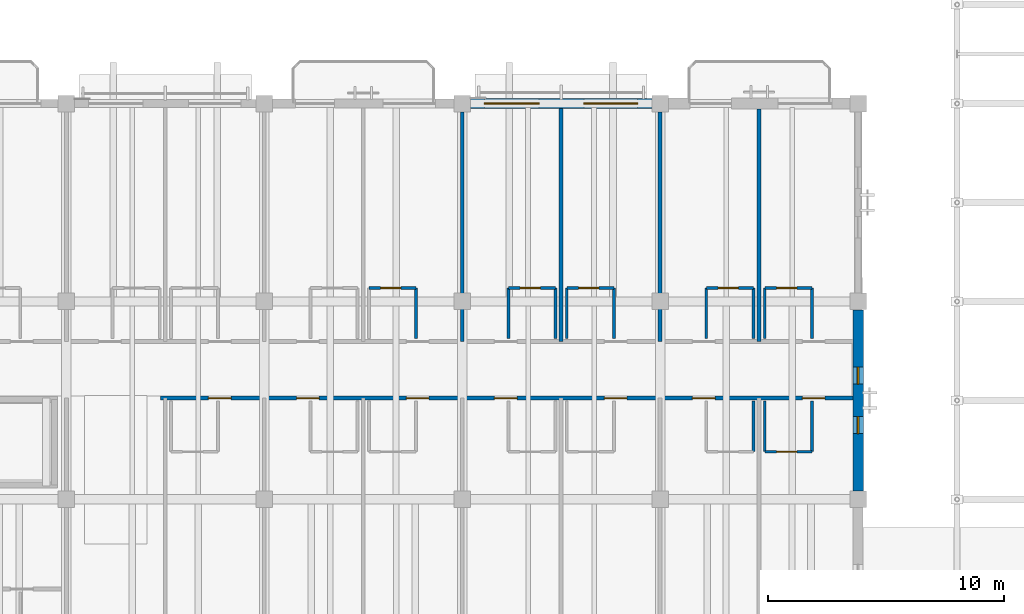
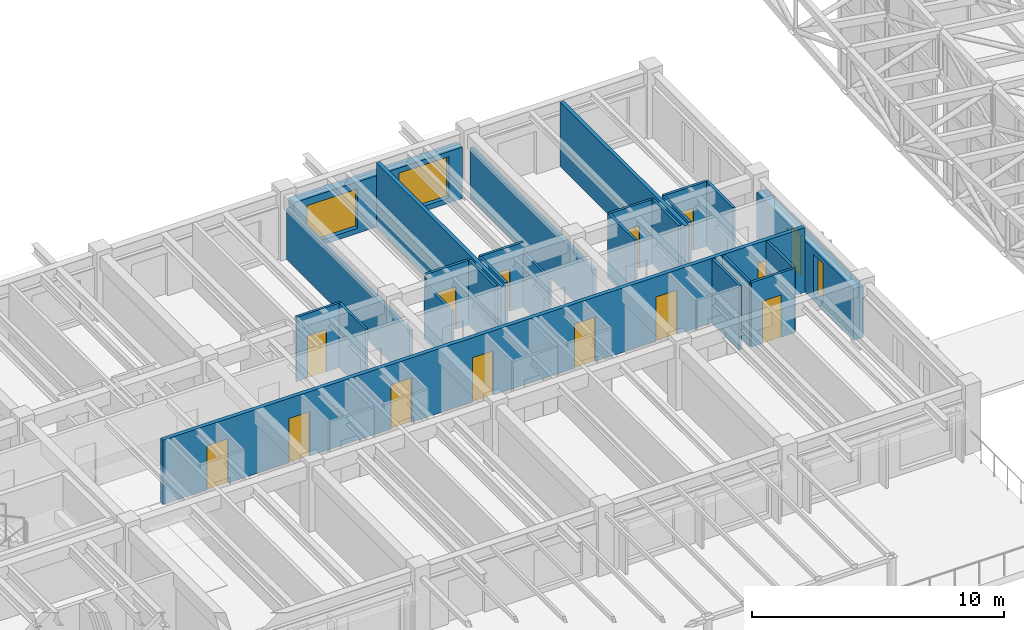
# One storey, part 93 of 111: 25 walls, 13 doors, 4 windows, 17 openings.
"""IFC4 building model written with IfcOpenShell, lengths in metres."""

import ifcopenshell
import ifcopenshell.guid

model = None  # the IFC model being written
_history = None  # IfcOwnerHistory: only IFC2X3 demands one
_inside = {}  # id of a spatial element -> (the spatial element, [elements in it])
_under = {}  # id of a project, library or spatial element -> (it, [spatial elements below it])
_declared = {}  # id of a project -> (the project, [libraries it declares])
_typed = {}  # id of a type object -> (the type object, [elements of that type])
_made_of = {}  # id of a material, layer set ... -> (it, [elements and type objects made of it])


def new_model(schema):
    """Start an empty IFC model of exactly this schema.

    Asked for "IFC4X3", IfcOpenShell would pick the latest addendum, in which some entities
    have other attributes; the version numbers below select the first issue.
    IFC2X3 requires an IfcOwnerHistory on every rooted entity: one is made here for all.
    """
    global model, _history
    if schema == "IFC4X3":
        model = ifcopenshell.file(schema_version=(4, 3, 0, 0))
    else:
        model = ifcopenshell.file(schema=schema)
    _inside.clear()
    _under.clear()
    _declared.clear()
    _typed.clear()
    _made_of.clear()
    _history = None
    if model.schema == "IFC2X3":
        org = make("IfcOrganization", Name="unknown")
        user = make(
            "IfcPersonAndOrganization",
            ThePerson=make("IfcPerson", FamilyName="unknown"),
            TheOrganization=org,
        )
        app = make(
            "IfcApplication",
            ApplicationDeveloper=org,
            Version="unknown",
            ApplicationFullName="unknown",
            ApplicationIdentifier="unknown",
        )
        _history = make(
            "IfcOwnerHistory",
            OwningUser=user,
            OwningApplication=app,
            ChangeAction="ADDED",
            CreationDate=0,
        )
    return model


def make(cls, **values):
    """One entity of the class cls with the attributes given. An attribute that is None is left unset."""
    return model.create_entity(
        cls, **{name: value for name, value in values.items() if value is not None}
    )


def rooted(cls, **values):
    """An entity with a GlobalId (a new one), such as an element, a storey or a relation."""
    return make(cls, GlobalId=ifcopenshell.guid.new(), OwnerHistory=_history, **values)


def si_unit(unit_type, name, prefix=None):
    """IfcSIUnit, for example si_unit("LENGTHUNIT", "METRE", prefix="MILLI")."""
    return make("IfcSIUnit", UnitType=unit_type, Prefix=prefix, Name=name)


def assignment(units):
    """IfcUnitAssignment: the units of a project."""
    return None if units is None else make("IfcUnitAssignment", Units=units)


def point(xyz):
    """IfcCartesianPoint."""
    return None if xyz is None else make("IfcCartesianPoint", Coordinates=xyz)


def direction(xyz):
    """IfcDirection."""
    return None if xyz is None else make("IfcDirection", DirectionRatios=xyz)


def frame(location, z_axis=None, x_axis=None):
    """IfcAxis2Placement3D, a coordinate frame: its origin and axes. An axis left out is left unset."""
    return make(
        "IfcAxis2Placement3D",
        Location=point(location),
        Axis=direction(z_axis),
        RefDirection=direction(x_axis),
    )


def frame_2d(location, x_axis=None):
    """IfcAxis2Placement2D, a coordinate frame in the plane: its origin and x axis."""
    return make(
        "IfcAxis2Placement2D", Location=point(location), RefDirection=direction(x_axis)
    )


def origin():
    """The frame at (0, 0, 0) with its axes left unset."""
    return frame((0.0, 0.0, 0.0))


def place(relative_to, where):
    """IfcLocalPlacement: puts the frame where relative to a parent placement (None: the world)."""
    return make(
        "IfcLocalPlacement", PlacementRelTo=relative_to, RelativePlacement=where
    )


def context(
    kind, dimensions, precision=None, world=None, true_north=None, identifier=None
):
    """IfcGeometricRepresentationContext, for example the 3D "Model" context."""
    return make(
        "IfcGeometricRepresentationContext",
        ContextIdentifier=identifier,
        ContextType=kind,
        CoordinateSpaceDimension=dimensions,
        Precision=precision,
        WorldCoordinateSystem=world,
        TrueNorth=true_north,
    )


def subcontext(parent, identifier, kind, view, scale=None):
    """IfcGeometricRepresentationSubContext, for example "Body" below "Model"."""
    return make(
        "IfcGeometricRepresentationSubContext",
        ContextIdentifier=identifier,
        ContextType=kind,
        ParentContext=parent,
        TargetScale=scale,
        TargetView=view,
    )


def project(units=None, contexts=None):
    """IfcProject with its units and contexts."""
    return rooted(
        "IfcProject",
        Name="project",
        RepresentationContexts=contexts,
        UnitsInContext=assignment(units),
    )


def spatial(cls, under=None, at=None, **own):
    """A site, building, storey or space (cls), placed at a placement, below another one or the project."""
    s = rooted(cls, ObjectPlacement=at, **own)
    if under is not None:
        _under.setdefault(under.id(), (under, []))[1].append(s)
    return s


def profile(cls, at=None, kind="AREA", **sizes):
    """A parametric profile (cls). Its sizes go by their IFC names, for example OverallWidth=200.0."""
    return make(cls, ProfileType=kind, Position=at, **sizes)


def rectangle(**sizes):
    """IfcRectangleProfileDef."""
    return profile("IfcRectangleProfileDef", **sizes)


def extrude(swept, where, along, depth):
    """IfcExtrudedAreaSolid: the profile swept, set in the frame where, extruded along a direction by depth."""
    return make(
        "IfcExtrudedAreaSolid",
        SweptArea=swept,
        Position=where,
        ExtrudedDirection=direction(along),
        Depth=depth,
    )


def shape(context_of_items, identifier, shape_type, items):
    """IfcShapeRepresentation: the items that make up one representation, for example the "Body"."""
    return make(
        "IfcShapeRepresentation",
        ContextOfItems=context_of_items,
        RepresentationIdentifier=identifier,
        RepresentationType=shape_type,
        Items=items,
    )


def material(Name=None, Category=None):
    """IfcMaterial."""
    return make("IfcMaterial", Name=Name, Category=Category)


def layer(
    of_material, thickness, ventilated=None, Name=None, Category=None, Priority=None
):
    """IfcMaterialLayer: one layer of a wall or slab, of a material (None: an air gap)."""
    return make(
        "IfcMaterialLayer",
        Material=of_material,
        LayerThickness=thickness,
        IsVentilated=ventilated,
        Name=Name,
        Category=Category,
        Priority=Priority,
    )


def layer_set(layers, Name=None):
    """IfcMaterialLayerSet."""
    return make("IfcMaterialLayerSet", MaterialLayers=layers, LayerSetName=Name)


def made_of(thing, what):
    """Note that an element or type object is made of a material, layer set ...; save() writes the relation."""
    if what is not None:
        _made_of.setdefault(what.id(), (what, []))[1].append(thing)
    return thing


def type_object(cls, material=None, **own):
    """A type object (cls), such as IfcWallType, which elements share."""
    return made_of(rooted(cls, **own), material)


def element(
    cls,
    number,
    at=None,
    inside=None,
    cuts=None,
    type_object=None,
    material=None,
    context=None,
    identifier="Body",
    shape_type=None,
    held_by="IfcProductDefinitionShape",
    body=None,
    shapes=None,
    **own,
):
    """One element of the class cls, such as IfcWall. Its Tag is "e" and its number.

    at: its placement. inside: the storey or other place that contains it. cuts: it is an
    opening in that element (IfcRelVoidsElement). A single representation is given by context,
    identifier, shape_type and body (its items); several are given by shapes. held_by: the class
    of the entity that holds the representations. save() writes the other relations.
    """
    e = rooted(cls, Tag="e%d" % number, ObjectPlacement=at, **own)
    if body is not None:
        shapes = [shape(context, identifier, shape_type, body)]
    if shapes is not None:
        e.Representation = make(held_by, Representations=shapes)
    if inside is not None:
        _inside.setdefault(inside.id(), (inside, []))[1].append(e)
    if cuts is not None:
        rooted(
            "IfcRelVoidsElement", RelatingBuildingElement=cuts, RelatedOpeningElement=e
        )
    if type_object is not None:
        _typed.setdefault(type_object.id(), (type_object, []))[1].append(e)
    return made_of(e, material)


def fill(opening, filler):
    """IfcRelFillsElement: the door or window that sits in an opening."""
    return rooted(
        "IfcRelFillsElement",
        RelatingOpeningElement=opening,
        RelatedBuildingElement=filler,
    )


def aggregate(whole, parts):
    """IfcRelAggregates: a whole, such as a stair, and the parts it consists of."""
    return rooted("IfcRelAggregates", RelatingObject=whole, RelatedObjects=parts)


def save(model, path):
    """Write the relations noted so far, then the file.

    IfcRelAggregates (storeys below a building ...), IfcRelContainedInSpatialStructure (elements
    in a storey), IfcRelDefinesByType, IfcRelAssociatesMaterial and IfcRelDeclares: one each for
    every whole, place, type object, material and project.
    """
    for whole, parts in _under.values():
        aggregate(whole, parts)
    for where, things in _inside.values():
        rooted(
            "IfcRelContainedInSpatialStructure",
            RelatedElements=things,
            RelatingStructure=where,
        )
    for kind, things in _typed.values():
        rooted("IfcRelDefinesByType", RelatedObjects=things, RelatingType=kind)
    for what, things in _made_of.values():
        rooted("IfcRelAssociatesMaterial", RelatedObjects=things, RelatingMaterial=what)
    for by, libraries in _declared.values():
        rooted("IfcRelDeclares", RelatingContext=by, RelatedDefinitions=libraries)
    model.write(path)


model = new_model("IFC4")

# Units and contexts
model_context = context("Model", 3, precision=1e-05, world=origin(), true_north=direction((0.0, 1.0)))
body_context = subcontext(model_context, "Body", "Model", "MODEL_VIEW")
ifc_project = project(units=[si_unit("LENGTHUNIT", "METRE"), si_unit("AREAUNIT", "SQUARE_METRE"), si_unit("VOLUMEUNIT", "CUBIC_METRE"), si_unit("PLANEANGLEUNIT", "RADIAN"), si_unit("MASSUNIT", "GRAM", prefix="KILO")], contexts=[model_context])

# Site, building, storey
site_placement = place(None, origin())
site = spatial("IfcSite", under=ifc_project, at=site_placement, CompositionType="ELEMENT")
building_placement = place(site_placement, origin())
building = spatial("IfcBuilding", under=site, at=building_placement, Name="Cumbredor Promenade Congress Hotel", CompositionType="ELEMENT")
storey_placement = place(building_placement, frame((0.0, 0.0, 15.1201171875)))
storey = spatial("IfcBuildingStorey", under=building, at=storey_placement, Name="L04", CompositionType="ELEMENT", Elevation=15.1201171875)

# Wall, opening, door
ifc_material_1 = material(Name="Moisture-resistant gypsum board on steel studs", Category="steel")
ifc_layer_1 = layer(ifc_material_1, 0.114990234375, Name="Moisture-resistant gypsum board on steel studs", Category="steel")
ifc_layer_set_1 = layer_set([ifc_layer_1], Name="Moisture-resistant gypsum board on steel studs")
wall_type_1 = type_object("IfcWallType", Name="WL-BATH-115", PredefinedType="PARTITIONING", material=ifc_layer_set_1)
wall_1_placement = place(storey_placement, frame((63.239990234375, 109.77001953125, 0.0), z_axis=(0.0, 0.0, 1.0), x_axis=(1.0, 0.0, 0.0)))
wall_1 = element("IfcWall", 1, at=wall_1_placement, inside=storey, type_object=wall_type_1, Name="L04 Interior Partition W-L04-BH-0413", PredefinedType="PARTITIONING", context=body_context, shape_type="SweptSolid", body=[
    extrude(rectangle(XDim=2.0, YDim=0.114990234375, at=frame_2d((1.0, 0.0))), origin(), (0.0, 0.0, 1.0), 3.119873046875),
])
opening_1_placement = place(wall_1_placement, frame((0.5, 0.0, 0.0)))
opening_1 = element("IfcOpeningElement", 2, at=opening_1_placement, cuts=wall_1, Name="Opening ID-01", PredefinedType="OPENING", context=body_context, shape_type="SweptSolid", body=[
    extrude(rectangle(XDim=0.860107421875, YDim=2.050048828125, at=frame_2d((0.43017578125, 1.02490234375))), frame((0.0, 0.0673828125, 0.0), z_axis=(0.0, -1.0, 0.0), x_axis=(1.0, 0.0, 0.0)), (0.0, 0.0, 1.0), 0.135009765625),
])
ifc_material_2 = material(Name="Kiln-dried tropical hardwood", Category="wood")
door_type_1 = type_object("IfcDoorType", Name="DR-BATH-860", OperationType="NOTDEFINED", PredefinedType="DOOR", material=ifc_material_2)
door_1_placement = place(opening_1_placement, origin())
door_1 = element("IfcDoor", 3, at=door_1_placement, inside=storey, type_object=door_type_1, Name="L04 Interior Door W-L04-BH-0413-01", OperationType="SINGLE_SWING_RIGHT", OverallHeight=2.050048828125, OverallWidth=0.860107421875, PredefinedType="DOOR", context=body_context, shape_type="SweptSolid", body=[
    extrude(rectangle(XDim=0.860107421875, YDim=2.050048828125, at=frame_2d((0.43017578125, 1.02490234375))), frame((0.0, 0.02490234375, 0.0), z_axis=(0.0, -1.0, 0.0), x_axis=(1.0, 0.0, 0.0)), (0.0, 0.0, 1.0), 0.050048828125),
])
fill(opening_1, door_1)

# Wall
wall_2_placement = place(storey_placement, frame((65.239990234375, 107.6201171875, 0.0), z_axis=(0.0, 0.0, 1.0), x_axis=(0.0, 1.0, 0.0)))
element("IfcWall", 4, at=wall_2_placement, inside=storey, type_object=wall_type_1, Name="L04 Interior Partition W-L04-BV2-0413", PredefinedType="PARTITIONING", context=body_context, shape_type="SweptSolid", body=[
    extrude(rectangle(XDim=2.14990234375, YDim=0.114990234375, at=frame_2d((1.074951171875, 0.0))), origin(), (0.0, 0.0, 1.0), 3.119873046875),
])

# Wall, opening, door
wall_3_placement = place(storey_placement, frame((69.159912109375, 109.77001953125, 0.0), z_axis=(0.0, 0.0, 1.0), x_axis=(1.0, 0.0, 0.0)))
wall_3 = element("IfcWall", 5, at=wall_3_placement, inside=storey, type_object=wall_type_1, Name="L04 Interior Partition W-L04-BH-0414", PredefinedType="PARTITIONING", context=body_context, shape_type="SweptSolid", body=[
    extrude(rectangle(XDim=2.0, YDim=0.114990234375, at=frame_2d((1.0, 0.0))), origin(), (0.0, 0.0, 1.0), 3.119873046875),
])
opening_2_placement = place(wall_3_placement, frame((0.5, 0.0, 0.0)))
opening_2 = element("IfcOpeningElement", 6, at=opening_2_placement, cuts=wall_3, Name="Opening ID-01", PredefinedType="OPENING", context=body_context, shape_type="SweptSolid", body=[
    extrude(rectangle(XDim=0.860107421875, YDim=2.050048828125, at=frame_2d((0.43017578125, 1.02490234375))), frame((0.0, 0.0673828125, 0.0), z_axis=(0.0, -1.0, 0.0), x_axis=(1.0, 0.0, 0.0)), (0.0, 0.0, 1.0), 0.135009765625),
])
door_2_placement = place(opening_2_placement, origin())
door_2 = element("IfcDoor", 7, at=door_2_placement, inside=storey, type_object=door_type_1, Name="L04 Interior Door W-L04-BH-0414-01", OperationType="SINGLE_SWING_LEFT", OverallHeight=2.050048828125, OverallWidth=0.860107421875, PredefinedType="DOOR", context=body_context, shape_type="SweptSolid", body=[
    extrude(rectangle(XDim=0.860107421875, YDim=2.050048828125, at=frame_2d((0.43017578125, 1.02490234375))), frame((0.0, 0.02490234375, 0.0), z_axis=(0.0, -1.0, 0.0), x_axis=(1.0, 0.0, 0.0)), (0.0, 0.0, 1.0), 0.050048828125),
])
fill(opening_2, door_2)

# Walls
wall_4_placement = place(storey_placement, frame((69.159912109375, 107.6201171875, 0.0), z_axis=(0.0, 0.0, 1.0), x_axis=(0.0, 1.0, 0.0)))
element("IfcWall", 8, at=wall_4_placement, inside=storey, type_object=wall_type_1, Name="L04 Interior Partition W-L04-BV1-0414", PredefinedType="PARTITIONING", context=body_context, shape_type="SweptSolid", body=[
    extrude(rectangle(XDim=2.14990234375, YDim=0.114990234375, at=frame_2d((1.074951171875, 0.0))), origin(), (0.0, 0.0, 1.0), 2.641845703125),
])
wall_5_placement = place(storey_placement, frame((71.159912109375, 107.6201171875, 0.0), z_axis=(0.0, 0.0, 1.0), x_axis=(0.0, 1.0, 0.0)))
element("IfcWall", 9, at=wall_5_placement, inside=storey, type_object=wall_type_1, Name="L04 Interior Partition W-L04-BV2-0414", PredefinedType="PARTITIONING", context=body_context, shape_type="SweptSolid", body=[
    extrude(rectangle(XDim=2.14990234375, YDim=0.114990234375, at=frame_2d((1.074951171875, 0.0))), origin(), (0.0, 0.0, 1.0), 3.119873046875),
])

# Wall, opening, door
wall_6_placement = place(storey_placement, frame((71.639892578125, 109.77001953125, 0.0), z_axis=(0.0, 0.0, 1.0), x_axis=(1.0, 0.0, 0.0)))
wall_6 = element("IfcWall", 10, at=wall_6_placement, inside=storey, type_object=wall_type_1, Name="L04 Interior Partition W-L04-BH-0415", PredefinedType="PARTITIONING", context=body_context, shape_type="SweptSolid", body=[
    extrude(rectangle(XDim=2.0, YDim=0.114990234375, at=frame_2d((1.0, 0.0))), origin(), (0.0, 0.0, 1.0), 3.119873046875),
])
opening_3_placement = place(wall_6_placement, frame((0.5, 0.0, 0.0)))
opening_3 = element("IfcOpeningElement", 11, at=opening_3_placement, cuts=wall_6, Name="Opening ID-01", PredefinedType="OPENING", context=body_context, shape_type="SweptSolid", body=[
    extrude(rectangle(XDim=0.860107421875, YDim=2.050048828125, at=frame_2d((0.43017578125, 1.02490234375))), frame((0.0, 0.0673828125, 0.0), z_axis=(0.0, -1.0, 0.0), x_axis=(1.0, 0.0, 0.0)), (0.0, 0.0, 1.0), 0.135009765625),
])
door_3_placement = place(opening_3_placement, origin())
door_3 = element("IfcDoor", 12, at=door_3_placement, inside=storey, type_object=door_type_1, Name="L04 Interior Door W-L04-BH-0415-01", OperationType="SINGLE_SWING_RIGHT", OverallHeight=2.050048828125, OverallWidth=0.860107421875, PredefinedType="DOOR", context=body_context, shape_type="SweptSolid", body=[
    extrude(rectangle(XDim=0.860107421875, YDim=2.050048828125, at=frame_2d((0.43017578125, 1.02490234375))), frame((0.0, 0.02490234375, 0.0), z_axis=(0.0, -1.0, 0.0), x_axis=(1.0, 0.0, 0.0)), (0.0, 0.0, 1.0), 0.050048828125),
])
fill(opening_3, door_3)

# Walls
wall_7_placement = place(storey_placement, frame((71.639892578125, 107.6201171875, 0.0), z_axis=(0.0, 0.0, 1.0), x_axis=(0.0, 1.0, 0.0)))
element("IfcWall", 13, at=wall_7_placement, inside=storey, type_object=wall_type_1, Name="L04 Interior Partition W-L04-BV1-0415", PredefinedType="PARTITIONING", context=body_context, shape_type="SweptSolid", body=[
    extrude(rectangle(XDim=2.14990234375, YDim=0.114990234375, at=frame_2d((1.074951171875, 0.0))), origin(), (0.0, 0.0, 1.0), 3.119873046875),
])
wall_8_placement = place(storey_placement, frame((73.639892578125, 107.6201171875, 0.0), z_axis=(0.0, 0.0, 1.0), x_axis=(0.0, 1.0, 0.0)))
element("IfcWall", 14, at=wall_8_placement, inside=storey, type_object=wall_type_1, Name="L04 Interior Partition W-L04-BV2-0415", PredefinedType="PARTITIONING", context=body_context, shape_type="SweptSolid", body=[
    extrude(rectangle(XDim=2.14990234375, YDim=0.114990234375, at=frame_2d((1.074951171875, 0.0))), origin(), (0.0, 0.0, 1.0), 2.641845703125),
])

# Wall, opening, door
wall_9_placement = place(storey_placement, frame((77.56005859375, 109.77001953125, 0.0), z_axis=(0.0, 0.0, 1.0), x_axis=(1.0, 0.0, 0.0)))
wall_9 = element("IfcWall", 15, at=wall_9_placement, inside=storey, type_object=wall_type_1, Name="L04 Interior Partition W-L04-BH-0416", PredefinedType="PARTITIONING", context=body_context, shape_type="SweptSolid", body=[
    extrude(rectangle(XDim=2.0, YDim=0.114990234375, at=frame_2d((1.0, 0.0))), origin(), (0.0, 0.0, 1.0), 3.119873046875),
])
opening_4_placement = place(wall_9_placement, frame((0.5, 0.0, 0.0)))
opening_4 = element("IfcOpeningElement", 16, at=opening_4_placement, cuts=wall_9, Name="Opening ID-01", PredefinedType="OPENING", context=body_context, shape_type="SweptSolid", body=[
    extrude(rectangle(XDim=0.860107421875, YDim=2.050048828125, at=frame_2d((0.43017578125, 1.02490234375))), frame((0.0, 0.0673828125, 0.0), z_axis=(0.0, -1.0, 0.0), x_axis=(1.0, 0.0, 0.0)), (0.0, 0.0, 1.0), 0.135009765625),
])
door_4_placement = place(opening_4_placement, origin())
door_4 = element("IfcDoor", 17, at=door_4_placement, inside=storey, type_object=door_type_1, Name="L04 Interior Door W-L04-BH-0416-01", OperationType="SINGLE_SWING_LEFT", OverallHeight=2.050048828125, OverallWidth=0.860107421875, PredefinedType="DOOR", context=body_context, shape_type="SweptSolid", body=[
    extrude(rectangle(XDim=0.860107421875, YDim=2.050048828125, at=frame_2d((0.43017578125, 1.02490234375))), frame((0.0, 0.02490234375, 0.0), z_axis=(0.0, -1.0, 0.0), x_axis=(1.0, 0.0, 0.0)), (0.0, 0.0, 1.0), 0.050048828125),
])
fill(opening_4, door_4)

# Walls
for number, where, z_axis, x_axis, name in (
    (18, (77.56005859375, 107.6201171875, 0.0), (0.0, 0.0, 1.0), (0.0, 1.0, 0.0), "L04 Interior Partition W-L04-BV1-0416"),
    (19, (79.56005859375, 107.6201171875, 0.0), (0.0, 0.0, 1.0), (0.0, 1.0, 0.0), "L04 Interior Partition W-L04-BV2-0416"),
):
    element("IfcWall", number, at=place(storey_placement, frame(where, z_axis=z_axis, x_axis=x_axis)), inside=storey, type_object=wall_type_1, Name=name, PredefinedType="PARTITIONING", context=body_context, shape_type="SweptSolid", body=[
        extrude(rectangle(XDim=2.14990234375, YDim=0.114990234375, at=frame_2d((1.074951171875, 0.0))), origin(), (0.0, 0.0, 1.0), 3.119873046875),
    ])

# Wall, opening, door
wall_10_placement = place(storey_placement, frame((80.0400390625, 109.77001953125, 0.0), z_axis=(0.0, 0.0, 1.0), x_axis=(1.0, 0.0, 0.0)))
wall_10 = element("IfcWall", 20, at=wall_10_placement, inside=storey, type_object=wall_type_1, Name="L04 Interior Partition W-L04-BH-0417", PredefinedType="PARTITIONING", context=body_context, shape_type="SweptSolid", body=[
    extrude(rectangle(XDim=2.0, YDim=0.114990234375, at=frame_2d((1.0, 0.0))), origin(), (0.0, 0.0, 1.0), 3.119873046875),
])
opening_5_placement = place(wall_10_placement, frame((0.5, 0.0, 0.0)))
opening_5 = element("IfcOpeningElement", 21, at=opening_5_placement, cuts=wall_10, Name="Opening ID-01", PredefinedType="OPENING", context=body_context, shape_type="SweptSolid", body=[
    extrude(rectangle(XDim=0.860107421875, YDim=2.050048828125, at=frame_2d((0.43017578125, 1.02490234375))), frame((0.0, 0.0673828125, 0.0), z_axis=(0.0, -1.0, 0.0), x_axis=(1.0, 0.0, 0.0)), (0.0, 0.0, 1.0), 0.135009765625),
])
door_5_placement = place(opening_5_placement, origin())
door_5 = element("IfcDoor", 22, at=door_5_placement, inside=storey, type_object=door_type_1, Name="L04 Interior Door W-L04-BH-0417-01", OperationType="SINGLE_SWING_RIGHT", OverallHeight=2.050048828125, OverallWidth=0.860107421875, PredefinedType="DOOR", context=body_context, shape_type="SweptSolid", body=[
    extrude(rectangle(XDim=0.860107421875, YDim=2.050048828125, at=frame_2d((0.43017578125, 1.02490234375))), frame((0.0, 0.02490234375, 0.0), z_axis=(0.0, -1.0, 0.0), x_axis=(1.0, 0.0, 0.0)), (0.0, 0.0, 1.0), 0.050048828125),
])
fill(opening_5, door_5)

# Walls
for number, where, z_axis, x_axis, name in (
    (23, (80.0400390625, 107.6201171875, 0.0), (0.0, 0.0, 1.0), (0.0, 1.0, 0.0), "L04 Interior Partition W-L04-BV1-0417"),
    (24, (82.0400390625, 107.6201171875, 0.0), (0.0, 0.0, 1.0), (0.0, 1.0, 0.0), "L04 Interior Partition W-L04-BV2-0417"),
    (25, (79.56005859375, 102.830078125, 0.0), (0.0, 0.0, 1.0), (0.0, 1.0, 0.0), "L04 Interior Partition W-L04-BV2-0423"),
):
    element("IfcWall", number, at=place(storey_placement, frame(where, z_axis=z_axis, x_axis=x_axis)), inside=storey, type_object=wall_type_1, Name=name, PredefinedType="PARTITIONING", context=body_context, shape_type="SweptSolid", body=[
        extrude(rectangle(XDim=2.14990234375, YDim=0.114990234375, at=frame_2d((1.074951171875, 0.0))), origin(), (0.0, 0.0, 1.0), 3.119873046875),
    ])

# Wall, opening, door
wall_11_placement = place(storey_placement, frame((80.0400390625, 102.830078125, 0.0), z_axis=(0.0, 0.0, 1.0), x_axis=(1.0, 0.0, 0.0)))
wall_11 = element("IfcWall", 26, at=wall_11_placement, inside=storey, type_object=wall_type_1, Name="L04 Interior Partition W-L04-BH-0424", PredefinedType="PARTITIONING", context=body_context, shape_type="SweptSolid", body=[
    extrude(rectangle(XDim=2.0, YDim=0.114990234375, at=frame_2d((1.0, 0.0))), origin(), (0.0, 0.0, 1.0), 3.119873046875),
])
opening_6_placement = place(wall_11_placement, frame((0.5, 0.0, 0.0)))
opening_6 = element("IfcOpeningElement", 27, at=opening_6_placement, cuts=wall_11, Name="Opening ID-01", PredefinedType="OPENING", context=body_context, shape_type="SweptSolid", body=[
    extrude(rectangle(XDim=0.860107421875, YDim=2.050048828125, at=frame_2d((0.43017578125, 1.02490234375))), frame((0.0, 0.0673828125, 0.0), z_axis=(0.0, -1.0, 0.0), x_axis=(1.0, 0.0, 0.0)), (0.0, 0.0, 1.0), 0.135009765625),
])
door_6_placement = place(opening_6_placement, origin())
door_6 = element("IfcDoor", 28, at=door_6_placement, inside=storey, type_object=door_type_1, Name="L04 Interior Door W-L04-BH-0424-01", OperationType="SINGLE_SWING_LEFT", OverallHeight=2.050048828125, OverallWidth=0.860107421875, PredefinedType="DOOR", context=body_context, shape_type="SweptSolid", body=[
    extrude(rectangle(XDim=0.860107421875, YDim=2.050048828125, at=frame_2d((0.43017578125, 1.02490234375))), frame((0.0, 0.02490234375, 0.0), z_axis=(0.0, -1.0, 0.0), x_axis=(1.0, 0.0, 0.0)), (0.0, 0.0, 1.0), 0.050048828125),
])
fill(opening_6, door_6)

# Walls
for number, where, z_axis, x_axis, name in (
    (29, (80.0400390625, 102.830078125, 0.0), (0.0, 0.0, 1.0), (0.0, 1.0, 0.0), "L04 Interior Partition W-L04-BV1-0424"),
    (30, (82.0400390625, 102.830078125, 0.0), (0.0, 0.0, 1.0), (0.0, 1.0, 0.0), "L04 Interior Partition W-L04-BV2-0424"),
):
    element("IfcWall", number, at=place(storey_placement, frame(where, z_axis=z_axis, x_axis=x_axis)), inside=storey, type_object=wall_type_1, Name=name, PredefinedType="PARTITIONING", context=body_context, shape_type="SweptSolid", body=[
        extrude(rectangle(XDim=2.14990234375, YDim=0.114990234375, at=frame_2d((1.074951171875, 0.0))), origin(), (0.0, 0.0, 1.0), 3.119873046875),
    ])

# Wall, openings, doors
ifc_material_3 = material(Name="Fire-rated hotel corridor wall")
ifc_layer_2 = layer(ifc_material_3, 0.179931640625, Name="Fire-rated hotel corridor wall")
ifc_layer_set_2 = layer_set([ifc_layer_2], Name="Fire-rated hotel corridor wall")
wall_type_2 = type_object("IfcWallType", Name="WL-CORR-180", PredefinedType="PARTITIONING", material=ifc_layer_set_2)
wall_12_placement = place(storey_placement, frame((54.39990234375, 105.10009765625, 0.0), z_axis=(0.0, 0.0, 1.0), x_axis=(1.0, 0.0, 0.0)))
wall_12 = element("IfcWall", 31, at=wall_12_placement, inside=storey, type_object=wall_type_2, Name="L04 Interior Partition W-L04-CORR-SE", PredefinedType="PARTITIONING", context=body_context, shape_type="SweptSolid", body=[
    extrude(rectangle(XDim=29.375, YDim=0.179931640625, at=frame_2d((14.6875, 0.0))), origin(), (0.0, 0.0, 1.0), 3.119873046875),
])
opening_7_placement = place(wall_12_placement, frame((2.030029296875, 0.0, 0.0)))
opening_7 = element("IfcOpeningElement", 32, at=opening_7_placement, cuts=wall_12, Name="Opening FD-01", PredefinedType="OPENING", context=body_context, shape_type="SweptSolid", body=[
    extrude(rectangle(XDim=0.9599609375, YDim=2.14990234375, at=frame_2d((0.47998046875, 1.074951171875))), frame((0.0, 0.10009765625, 0.0), z_axis=(0.0, -1.0, 0.0), x_axis=(1.0, 0.0, 0.0)), (0.0, 0.0, 1.0), 0.199951171875),
])
opening_8_placement = place(wall_12_placement, frame((5.77001953125, 0.0, 0.0)))
opening_8 = element("IfcOpeningElement", 33, at=opening_8_placement, cuts=wall_12, Name="Opening FD-01", PredefinedType="OPENING", context=body_context, shape_type="SweptSolid", body=[
    extrude(rectangle(XDim=0.9599609375, YDim=2.14990234375, at=frame_2d((0.47998046875, 1.074951171875))), frame((0.0, 0.10009765625, 0.0), z_axis=(0.0, -1.0, 0.0), x_axis=(1.0, 0.0, 0.0)), (0.0, 0.0, 1.0), 0.199951171875),
])
opening_9_placement = place(wall_12_placement, frame((10.429931640625, 0.0, 0.0)))
opening_9 = element("IfcOpeningElement", 34, at=opening_9_placement, cuts=wall_12, Name="Opening FD-01", PredefinedType="OPENING", context=body_context, shape_type="SweptSolid", body=[
    extrude(rectangle(XDim=0.9599609375, YDim=2.14990234375, at=frame_2d((0.47998046875, 1.074951171875))), frame((0.0, 0.10009765625, 0.0), z_axis=(0.0, -1.0, 0.0), x_axis=(1.0, 0.0, 0.0)), (0.0, 0.0, 1.0), 0.199951171875),
])
opening_10_placement = place(wall_12_placement, frame((14.169921875, 0.0, 0.0)))
opening_10 = element("IfcOpeningElement", 35, at=opening_10_placement, cuts=wall_12, Name="Opening FD-01", PredefinedType="OPENING", context=body_context, shape_type="SweptSolid", body=[
    extrude(rectangle(XDim=0.9599609375, YDim=2.14990234375, at=frame_2d((0.47998046875, 1.074951171875))), frame((0.0, 0.10009765625, 0.0), z_axis=(0.0, -1.0, 0.0), x_axis=(1.0, 0.0, 0.0)), (0.0, 0.0, 1.0), 0.199951171875),
])
opening_11_placement = place(wall_12_placement, frame((18.830078125, 0.0, 0.0)))
opening_11 = element("IfcOpeningElement", 36, at=opening_11_placement, cuts=wall_12, Name="Opening FD-01", PredefinedType="OPENING", context=body_context, shape_type="SweptSolid", body=[
    extrude(rectangle(XDim=0.9599609375, YDim=2.14990234375, at=frame_2d((0.47998046875, 1.074951171875))), frame((0.0, 0.10009765625, 0.0), z_axis=(0.0, -1.0, 0.0), x_axis=(1.0, 0.0, 0.0)), (0.0, 0.0, 1.0), 0.199951171875),
])
opening_12_placement = place(wall_12_placement, frame((22.570068359375, 0.0, 0.0)))
opening_12 = element("IfcOpeningElement", 37, at=opening_12_placement, cuts=wall_12, Name="Opening FD-01", PredefinedType="OPENING", context=body_context, shape_type="SweptSolid", body=[
    extrude(rectangle(XDim=0.9599609375, YDim=2.14990234375, at=frame_2d((0.47998046875, 1.074951171875))), frame((0.0, 0.10009765625, 0.0), z_axis=(0.0, -1.0, 0.0), x_axis=(1.0, 0.0, 0.0)), (0.0, 0.0, 1.0), 0.199951171875),
])
opening_13_placement = place(wall_12_placement, frame((27.22998046875, 0.0, 0.0)))
opening_13 = element("IfcOpeningElement", 38, at=opening_13_placement, cuts=wall_12, Name="Opening FD-01", PredefinedType="OPENING", context=body_context, shape_type="SweptSolid", body=[
    extrude(rectangle(XDim=0.9599609375, YDim=2.14990234375, at=frame_2d((0.47998046875, 1.074951171875))), frame((0.0, 0.10009765625, 0.0), z_axis=(0.0, -1.0, 0.0), x_axis=(1.0, 0.0, 0.0)), (0.0, 0.0, 1.0), 0.199951171875),
])
ifc_material_4 = material(Name="Solid-core fire-rated tropical hardwood", Category="wood")
door_type_2 = type_object("IfcDoorType", Name="DR-GUEST-FD30-950", OperationType="NOTDEFINED", PredefinedType="DOOR", material=ifc_material_4)
door_7_placement = place(opening_7_placement, origin())
door_7 = element("IfcDoor", 39, at=door_7_placement, inside=storey, type_object=door_type_2, Name="L04 Interior Door W-L04-CORR-SE-01", OperationType="SINGLE_SWING_RIGHT", OverallHeight=2.14990234375, OverallWidth=0.9599609375, PredefinedType="DOOR", context=body_context, shape_type="SweptSolid", body=[
    extrude(rectangle(XDim=0.9599609375, YDim=2.14990234375, at=frame_2d((0.47998046875, 1.074951171875))), frame((0.0, 0.02490234375, 0.0), z_axis=(0.0, -1.0, 0.0), x_axis=(1.0, 0.0, 0.0)), (0.0, 0.0, 1.0), 0.050048828125),
])
fill(opening_7, door_7)
door_8_placement = place(opening_8_placement, origin())
door_8 = element("IfcDoor", 40, at=door_8_placement, inside=storey, type_object=door_type_2, Name="L04 Interior Door W-L04-CORR-SE-02", OperationType="SINGLE_SWING_LEFT", OverallHeight=2.14990234375, OverallWidth=0.9599609375, PredefinedType="DOOR", context=body_context, shape_type="SweptSolid", body=[
    extrude(rectangle(XDim=0.9599609375, YDim=2.14990234375, at=frame_2d((0.47998046875, 1.074951171875))), frame((0.0, 0.02490234375, 0.0), z_axis=(0.0, -1.0, 0.0), x_axis=(1.0, 0.0, 0.0)), (0.0, 0.0, 1.0), 0.050048828125),
])
fill(opening_8, door_8)
door_9_placement = place(opening_9_placement, origin())
door_9 = element("IfcDoor", 41, at=door_9_placement, inside=storey, type_object=door_type_2, Name="L04 Interior Door W-L04-CORR-SE-03", OperationType="SINGLE_SWING_RIGHT", OverallHeight=2.14990234375, OverallWidth=0.9599609375, PredefinedType="DOOR", context=body_context, shape_type="SweptSolid", body=[
    extrude(rectangle(XDim=0.9599609375, YDim=2.14990234375, at=frame_2d((0.47998046875, 1.074951171875))), frame((0.0, 0.02490234375, 0.0), z_axis=(0.0, -1.0, 0.0), x_axis=(1.0, 0.0, 0.0)), (0.0, 0.0, 1.0), 0.050048828125),
])
fill(opening_9, door_9)
door_10_placement = place(opening_10_placement, origin())
door_10 = element("IfcDoor", 42, at=door_10_placement, inside=storey, type_object=door_type_2, Name="L04 Interior Door W-L04-CORR-SE-04", OperationType="SINGLE_SWING_LEFT", OverallHeight=2.14990234375, OverallWidth=0.9599609375, PredefinedType="DOOR", context=body_context, shape_type="SweptSolid", body=[
    extrude(rectangle(XDim=0.9599609375, YDim=2.14990234375, at=frame_2d((0.47998046875, 1.074951171875))), frame((0.0, 0.02490234375, 0.0), z_axis=(0.0, -1.0, 0.0), x_axis=(1.0, 0.0, 0.0)), (0.0, 0.0, 1.0), 0.050048828125),
])
fill(opening_10, door_10)
door_11_placement = place(opening_11_placement, origin())
door_11 = element("IfcDoor", 43, at=door_11_placement, inside=storey, type_object=door_type_2, Name="L04 Interior Door W-L04-CORR-SE-05", OperationType="SINGLE_SWING_RIGHT", OverallHeight=2.14990234375, OverallWidth=0.9599609375, PredefinedType="DOOR", context=body_context, shape_type="SweptSolid", body=[
    extrude(rectangle(XDim=0.9599609375, YDim=2.14990234375, at=frame_2d((0.47998046875, 1.074951171875))), frame((0.0, 0.02490234375, 0.0), z_axis=(0.0, -1.0, 0.0), x_axis=(1.0, 0.0, 0.0)), (0.0, 0.0, 1.0), 0.050048828125),
])
fill(opening_11, door_11)
door_12_placement = place(opening_12_placement, origin())
door_12 = element("IfcDoor", 44, at=door_12_placement, inside=storey, type_object=door_type_2, Name="L04 Interior Door W-L04-CORR-SE-06", OperationType="SINGLE_SWING_LEFT", OverallHeight=2.14990234375, OverallWidth=0.9599609375, PredefinedType="DOOR", context=body_context, shape_type="SweptSolid", body=[
    extrude(rectangle(XDim=0.9599609375, YDim=2.14990234375, at=frame_2d((0.47998046875, 1.074951171875))), frame((0.0, 0.02490234375, 0.0), z_axis=(0.0, -1.0, 0.0), x_axis=(1.0, 0.0, 0.0)), (0.0, 0.0, 1.0), 0.050048828125),
])
fill(opening_12, door_12)
door_13_placement = place(opening_13_placement, origin())
door_13 = element("IfcDoor", 45, at=door_13_placement, inside=storey, type_object=door_type_2, Name="L04 Interior Door W-L04-CORR-SE-07", OperationType="SINGLE_SWING_RIGHT", OverallHeight=2.14990234375, OverallWidth=0.9599609375, PredefinedType="DOOR", context=body_context, shape_type="SweptSolid", body=[
    extrude(rectangle(XDim=0.9599609375, YDim=2.14990234375, at=frame_2d((0.47998046875, 1.074951171875))), frame((0.0, 0.02490234375, 0.0), z_axis=(0.0, -1.0, 0.0), x_axis=(1.0, 0.0, 0.0)), (0.0, 0.0, 1.0), 0.050048828125),
])
fill(opening_13, door_13)

# Wall, openings, windows
ifc_material_5 = material(Name="Concrete C40/50", Category="concrete")
ifc_layer_3 = layer(ifc_material_5, 0.425048828125, Name="Concrete C40/50", Category="concrete")
ifc_layer_set_3 = layer_set([ifc_layer_3], Name="Concrete C40/50")
wall_type_3 = type_object("IfcWallType", Name="WL-EXT-425", PredefinedType="SOLIDWALL", material=ifc_layer_set_3)
wall_13_placement = place(storey_placement, frame((67.551025390625, 117.60009765625, 0.0), z_axis=(0.0, 0.0, 1.0), x_axis=(1.0, 0.0, 0.0)))
wall_13 = element("IfcWall", 46, at=wall_13_placement, inside=storey, type_object=wall_type_3, Name="L04 Stepped Congress Hotel Wing North Envelope Wall 9", PredefinedType="SOLIDWALL", context=body_context, shape_type="SweptSolid", body=[
    extrude(rectangle(XDim=7.697998046875, YDim=0.425048828125, at=frame_2d((3.84912109375, 0.0))), origin(), (0.0, 0.0, 1.0), 2.493896484375),
])
opening_14_placement = place(wall_13_placement, frame((0.589111328125, 0.0, 0.25)))
opening_14 = element("IfcOpeningElement", 47, at=opening_14_placement, cuts=wall_13, Name="Opening WN-36", PredefinedType="OPENING", context=body_context, shape_type="SweptSolid", body=[
    extrude(rectangle(XDim=2.320068359375, YDim=1.89990234375, at=frame_2d((1.16015625, 0.949951171875))), frame((0.0, 0.22265625, 0.0), z_axis=(0.0, -1.0, 0.0), x_axis=(1.0, 0.0, 0.0)), (0.0, 0.0, 1.0), 0.445068359375),
])
opening_15_placement = place(wall_13_placement, frame((4.80908203125, 0.0, 0.25)))
opening_15 = element("IfcOpeningElement", 48, at=opening_15_placement, cuts=wall_13, Name="Opening WN-40", PredefinedType="OPENING", context=body_context, shape_type="SweptSolid", body=[
    extrude(rectangle(XDim=2.280029296875, YDim=2.0, at=frame_2d((1.14013671875, 1.0))), frame((0.0, 0.22265625, 0.0), z_axis=(0.0, -1.0, 0.0), x_axis=(1.0, 0.0, 0.0)), (0.0, 0.0, 1.0), 0.445068359375),
])
ifc_material_6 = material(Name="Thermally broken anodized aluminium and low-E glass", Category="aluminium")
window_type_1 = type_object("IfcWindowType", Name="Hospitality Floor-to-Ceiling Window WN-36 2320x1900", PartitioningType="DOUBLE_PANEL_VERTICAL", PredefinedType="WINDOW", material=ifc_material_6)
window_1_placement = place(opening_14_placement, origin())
window_1 = element("IfcWindow", 49, at=window_1_placement, inside=storey, type_object=window_type_1, Name="L04 Wide Hospitality Window 0499", OverallHeight=1.89990234375, OverallWidth=2.320068359375, PartitioningType="DOUBLE_PANEL_VERTICAL", PredefinedType="WINDOW", context=body_context, shape_type="SweptSolid", body=[
    extrude(rectangle(XDim=2.320068359375, YDim=1.89990234375, at=frame_2d((1.16015625, 0.949951171875))), frame((0.0, 0.030029296875, 0.0), z_axis=(0.0, -1.0, 0.0), x_axis=(1.0, 0.0, 0.0)), (0.0, 0.0, 1.0), 0.06005859375),
])
fill(opening_14, window_1)
window_type_2 = type_object("IfcWindowType", Name="Hospitality Floor-to-Ceiling Window WN-40 2280x2000", PartitioningType="DOUBLE_PANEL_VERTICAL", PredefinedType="WINDOW", material=ifc_material_6)
window_2_placement = place(opening_15_placement, origin())
window_2 = element("IfcWindow", 50, at=window_2_placement, inside=storey, type_object=window_type_2, Name="L04 Wide Hospitality Window 0500", OverallHeight=2.0, OverallWidth=2.280029296875, PartitioningType="DOUBLE_PANEL_VERTICAL", PredefinedType="WINDOW", context=body_context, shape_type="SweptSolid", body=[
    extrude(rectangle(XDim=2.280029296875, YDim=2.0, at=frame_2d((1.14013671875, 1.0))), frame((0.0, 0.030029296875, 0.0), z_axis=(0.0, -1.0, 0.0), x_axis=(1.0, 0.0, 0.0)), (0.0, 0.0, 1.0), 0.06005859375),
])
fill(opening_15, window_2)

ifc_layer_4 = layer(ifc_material_5, 0.449951171875, Name="Concrete C40/50", Category="concrete")
ifc_layer_set_4 = layer_set([ifc_layer_4], Name="Concrete C40/50")
wall_type_4 = type_object("IfcWallType", Name="WL-EXT-450", PredefinedType="SOLIDWALL", material=ifc_layer_set_4)
wall_14_placement = place(storey_placement, frame((84.0, 101.15087890625, 0.0), z_axis=(0.0, 0.0, 1.0), x_axis=(0.0, 1.0, 0.0)))
wall_14 = element("IfcWall", 51, at=wall_14_placement, inside=storey, type_object=wall_type_4, Name="L04 Stepped Congress Hotel Wing East Envelope Wall 2", PredefinedType="SOLIDWALL", context=body_context, shape_type="SweptSolid", body=[
    extrude(rectangle(XDim=7.6982421875, YDim=0.449951171875, at=frame_2d((3.84912109375, 0.0))), origin(), (0.0, 0.0, 1.0), 2.493896484375),
])
opening_16_placement = place(wall_14_placement, frame((2.43896484375, 0.0, 0.300048828125)))
opening_16 = element("IfcOpeningElement", 52, at=opening_16_placement, cuts=wall_14, Name="Opening WN-49", PredefinedType="OPENING", context=body_context, shape_type="SweptSolid", body=[
    extrude(rectangle(XDim=0.719970703125, YDim=1.949951171875, at=frame_2d((0.35986328125, 0.97509765625))), frame((0.0, 0.23486328125, 0.0), z_axis=(0.0, -1.0, 0.0), x_axis=(1.0, 0.0, 0.0)), (0.0, 0.0, 1.0), 0.469970703125),
])
opening_17_placement = place(wall_14_placement, frame((4.5390625, 0.0, 0.300048828125)))
opening_17 = element("IfcOpeningElement", 53, at=opening_17_placement, cuts=wall_14, Name="Opening WN-49", PredefinedType="OPENING", context=body_context, shape_type="SweptSolid", body=[
    extrude(rectangle(XDim=0.719970703125, YDim=1.949951171875, at=frame_2d((0.35986328125, 0.97509765625))), frame((0.0, 0.23486328125, 0.0), z_axis=(0.0, -1.0, 0.0), x_axis=(1.0, 0.0, 0.0)), (0.0, 0.0, 1.0), 0.469970703125),
])
window_type_3 = type_object("IfcWindowType", Name="Vertical Slot Window WN-49 720x1950", PartitioningType="SINGLE_PANEL", PredefinedType="WINDOW", material=ifc_material_6)
window_3_placement = place(opening_16_placement, origin())
window_3 = element("IfcWindow", 54, at=window_3_placement, inside=storey, type_object=window_type_3, Name="L04 Vertical Slot Window 0510", OverallHeight=1.949951171875, OverallWidth=0.719970703125, PartitioningType="SINGLE_PANEL", PredefinedType="WINDOW", context=body_context, shape_type="SweptSolid", body=[
    extrude(rectangle(XDim=0.719970703125, YDim=1.949951171875, at=frame_2d((0.35986328125, 0.97509765625))), frame((0.0, 0.030029296875, 0.0), z_axis=(0.0, -1.0, 0.0), x_axis=(1.0, 0.0, 0.0)), (0.0, 0.0, 1.0), 0.06005859375),
])
fill(opening_16, window_3)
window_4_placement = place(opening_17_placement, origin())
window_4 = element("IfcWindow", 55, at=window_4_placement, inside=storey, type_object=window_type_3, Name="L04 Vertical Slot Window 0511", OverallHeight=1.949951171875, OverallWidth=0.719970703125, PartitioningType="SINGLE_PANEL", PredefinedType="WINDOW", context=body_context, shape_type="SweptSolid", body=[
    extrude(rectangle(XDim=0.719970703125, YDim=1.949951171875, at=frame_2d((0.35986328125, 0.97509765625))), frame((0.0, 0.030029296875, 0.0), z_axis=(0.0, -1.0, 0.0), x_axis=(1.0, 0.0, 0.0)), (0.0, 0.0, 1.0), 0.06005859375),
])
fill(opening_17, window_4)

# Walls
ifc_material_7 = material(Name="Fire-rated acoustic double-stud partition")
ifc_layer_5 = layer(ifc_material_7, 0.1650390625, Name="Fire-rated acoustic double-stud partition")
ifc_layer_set_5 = layer_set([ifc_layer_5], Name="Fire-rated acoustic double-stud partition")
wall_type_5 = type_object("IfcWallType", Name="WL-UNIT-165", PredefinedType="PARTITIONING", material=ifc_layer_set_5)
wall_15_placement = place(storey_placement, frame((71.39990234375, 107.5, 0.0), z_axis=(0.0, 0.0, 1.0), x_axis=(0.0, 1.0, 0.0)))
element("IfcWall", 56, at=wall_15_placement, inside=storey, type_object=wall_type_5, Name="L04 Interior Partition W-L04-N-DIV-8-M", PredefinedType="PARTITIONING", context=body_context, shape_type="SweptSolid", body=[
    extrude(rectangle(XDim=9.887451171875, YDim=0.1650390625, at=frame_2d((4.94384765625, 0.0))), origin(), (0.0, 0.0, 1.0), 3.119873046875),
])
wall_16_placement = place(storey_placement, frame((67.199951171875, 107.5, 0.0), z_axis=(0.0, 0.0, 1.0), x_axis=(0.0, 1.0, 0.0)))
element("IfcWall", 57, at=wall_16_placement, inside=storey, type_object=wall_type_5, Name="L04 Interior Partition W-L04-N-DIV-8-G", PredefinedType="PARTITIONING", context=body_context, shape_type="SweptSolid", body=[
    extrude(rectangle(XDim=9.75, YDim=0.1650390625, at=frame_2d((4.875, 0.0))), origin(), (0.0, 0.0, 1.0), 2.454833984375),
])
wall_17_placement = place(storey_placement, frame((79.800048828125, 107.5, 0.0), z_axis=(0.0, 0.0, 1.0), x_axis=(0.0, 1.0, 0.0)))
element("IfcWall", 58, at=wall_17_placement, inside=storey, type_object=wall_type_5, Name="L04 Interior Partition W-L04-N-DIV-9-M", PredefinedType="PARTITIONING", context=body_context, shape_type="SweptSolid", body=[
    extrude(rectangle(XDim=9.875, YDim=0.1650390625, at=frame_2d((4.9375, 0.0))), origin(), (0.0, 0.0, 1.0), 3.119873046875),
])
wall_18_placement = place(storey_placement, frame((75.60009765625, 107.5, 0.0), z_axis=(0.0, 0.0, 1.0), x_axis=(0.0, 1.0, 0.0)))
element("IfcWall", 59, at=wall_18_placement, inside=storey, type_object=wall_type_5, Name="L04 Interior Partition W-L04-N-DIV-9-G", PredefinedType="PARTITIONING", context=body_context, shape_type="SweptSolid", body=[
    extrude(rectangle(XDim=9.75, YDim=0.1650390625, at=frame_2d((4.875, 0.0))), origin(), (0.0, 0.0, 1.0), 2.454833984375),
])

save(model, "model.ifc")
